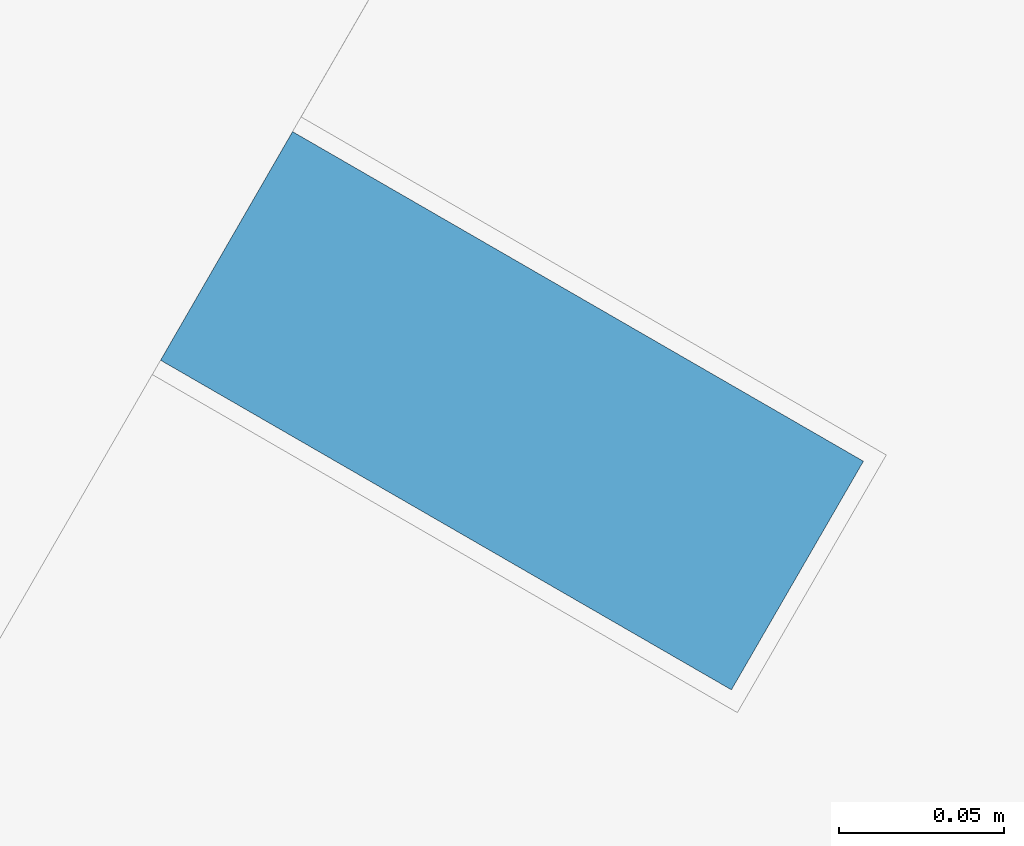
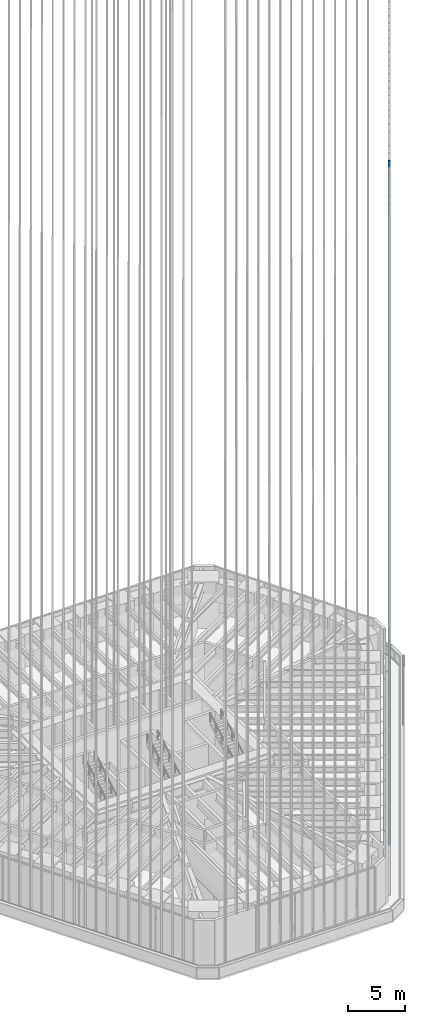
# One storey, part 89 of 228: 1 member, 1 element without a shape of its own.
"""IFC4 building model written with IfcOpenShell, lengths in metres."""

from ifc_helpers import new_model, si_unit, direction, frame, origin, origin_2d, place, context, subcontext, project, spatial, rectangle, extrude, material, material_profile, profile_set, type_object, element, aggregate, save


model = new_model("IFC4")

# Units and contexts
model_context = context("Model", 3, precision=1e-05, world=origin(), true_north=direction((0.0, 1.0)))
body_context = subcontext(model_context, "Body", "Model", "MODEL_VIEW")
ifc_project = project(units=[si_unit("LENGTHUNIT", "METRE"), si_unit("AREAUNIT", "SQUARE_METRE"), si_unit("VOLUMEUNIT", "CUBIC_METRE"), si_unit("PLANEANGLEUNIT", "RADIAN"), si_unit("MASSUNIT", "GRAM", prefix="KILO")], contexts=[model_context])

# Site, building, storey
site_placement = place(None, origin())
site = spatial("IfcSite", under=ifc_project, at=site_placement, CompositionType="ELEMENT")
building_placement = place(site_placement, origin())
building = spatial("IfcBuilding", under=site, at=building_placement, Name="Sandreach Pilgrim Tower", CompositionType="ELEMENT")
storey_placement = place(building_placement, frame((0.0, 0.0, 178.199951171875)))
storey = spatial("IfcBuildingStorey", under=building, at=storey_placement, Name="L44", CompositionType="ELEMENT", Elevation=178.199951171875)

# Curtain wall, member
ifc_material_1 = material(Name="Aluminium framed curtain wall", Category="aluminium")
curtain_wall_type = type_object("IfcCurtainWallType", Name="Upper hotel tower curtain wall", PredefinedType="NOTDEFINED", material=ifc_material_1)
curtain_wall_placement = place(storey_placement, origin())
curtain_wall = element("IfcCurtainWall", 1, at=curtain_wall_placement, inside=storey, type_object=curtain_wall_type, Name="CW-3 L44 SE", PredefinedType="NOTDEFINED")
ifc_material_2 = material(Name="Extruded terracotta on aluminium core", Category="masonry")
ifc_material_profile = material_profile(ifc_material_2, rectangle(XDim=0.080078125, YDim=0.199951171875, at=origin_2d()), Name="TBE 80X200")
ifc_profile_set = profile_set([ifc_material_profile], Name="Extruded terracotta on aluminium core")
member_type = type_object("IfcMemberType", Name="Terracotta baguette east", PredefinedType="USERDEFINED", material=ifc_profile_set)
member_placement = place(storey_placement, frame((14.266357421875, -18.41015625, 0.0), z_axis=(0.0, 0.0, 1.0), x_axis=(-0.5, -0.866025403784, 0.0)))
member = element("IfcMember", 2, at=member_placement, type_object=member_type, Name="Baguette Z3 SE24", ObjectType="BAGUETTE", PredefinedType="USERDEFINED", context=body_context, shape_type="SweptSolid", body=[
    extrude(rectangle(XDim=0.080078125, YDim=0.199951171875, at=origin_2d()), origin(), (0.0, 0.0, 1.0), 73.239990234375),
])
aggregate(curtain_wall, [member])

save(model, "model.ifc")
